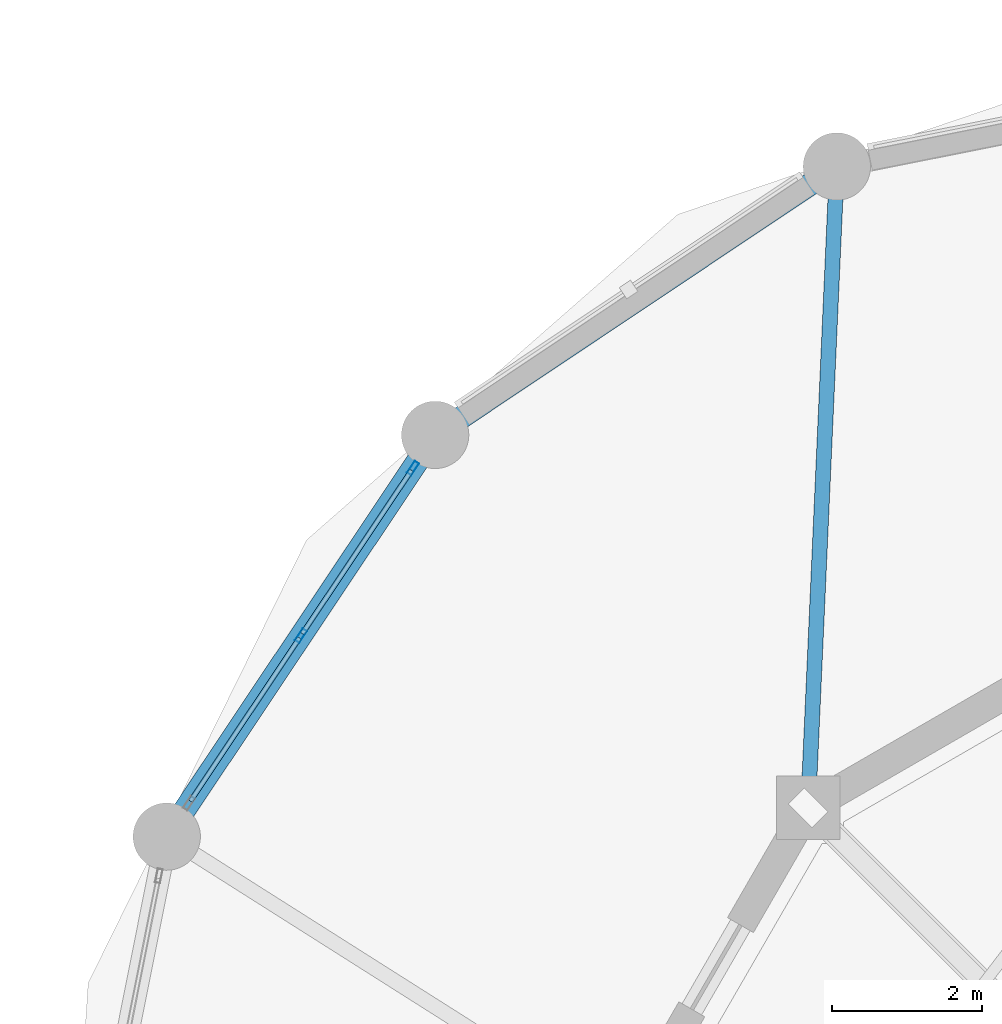
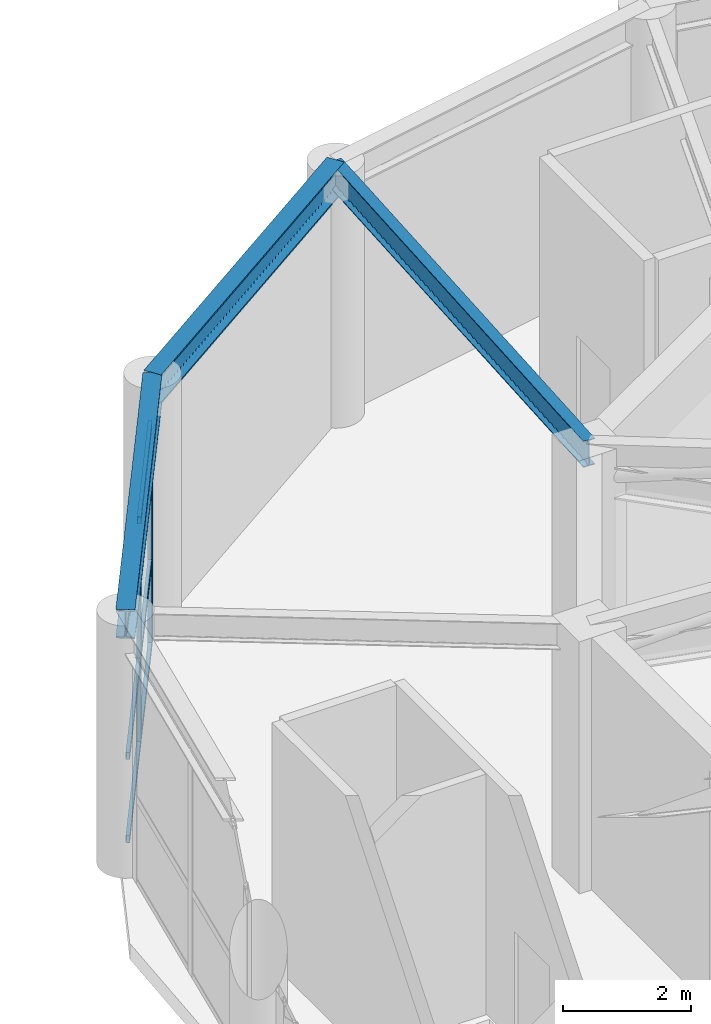
# One storey, part 11 of 26: 8 members, 3 beams, 1 element without a shape of its own.
"""IFC4 building model written with IfcOpenShell, lengths in metres."""

import ifcopenshell
import ifcopenshell.guid

model = None  # the IFC model being written
_history = None  # IfcOwnerHistory: only IFC2X3 demands one
_inside = {}  # id of a spatial element -> (the spatial element, [elements in it])
_under = {}  # id of a project, library or spatial element -> (it, [spatial elements below it])
_declared = {}  # id of a project -> (the project, [libraries it declares])
_typed = {}  # id of a type object -> (the type object, [elements of that type])
_made_of = {}  # id of a material, layer set ... -> (it, [elements and type objects made of it])


def new_model(schema):
    """Start an empty IFC model of exactly this schema.

    Asked for "IFC4X3", IfcOpenShell would pick the latest addendum, in which some entities
    have other attributes; the version numbers below select the first issue.
    IFC2X3 requires an IfcOwnerHistory on every rooted entity: one is made here for all.
    """
    global model, _history
    if schema == "IFC4X3":
        model = ifcopenshell.file(schema_version=(4, 3, 0, 0))
    else:
        model = ifcopenshell.file(schema=schema)
    _inside.clear()
    _under.clear()
    _declared.clear()
    _typed.clear()
    _made_of.clear()
    _history = None
    if model.schema == "IFC2X3":
        org = make("IfcOrganization", Name="unknown")
        user = make(
            "IfcPersonAndOrganization",
            ThePerson=make("IfcPerson", FamilyName="unknown"),
            TheOrganization=org,
        )
        app = make(
            "IfcApplication",
            ApplicationDeveloper=org,
            Version="unknown",
            ApplicationFullName="unknown",
            ApplicationIdentifier="unknown",
        )
        _history = make(
            "IfcOwnerHistory",
            OwningUser=user,
            OwningApplication=app,
            ChangeAction="ADDED",
            CreationDate=0,
        )
    return model


def make(cls, **values):
    """One entity of the class cls with the attributes given. An attribute that is None is left unset."""
    return model.create_entity(
        cls, **{name: value for name, value in values.items() if value is not None}
    )


def rooted(cls, **values):
    """An entity with a GlobalId (a new one), such as an element, a storey or a relation."""
    return make(cls, GlobalId=ifcopenshell.guid.new(), OwnerHistory=_history, **values)


def si_unit(unit_type, name, prefix=None):
    """IfcSIUnit, for example si_unit("LENGTHUNIT", "METRE", prefix="MILLI")."""
    return make("IfcSIUnit", UnitType=unit_type, Prefix=prefix, Name=name)


def derived_unit(unit_type, elements):
    """IfcDerivedUnit: a product of units, each with its exponent."""
    return make(
        "IfcDerivedUnit",
        Elements=[
            make("IfcDerivedUnitElement", Unit=unit, Exponent=power)
            for unit, power in elements
        ],
        UnitType=unit_type,
    )


def assignment(units):
    """IfcUnitAssignment: the units of a project."""
    return None if units is None else make("IfcUnitAssignment", Units=units)


def point(xyz):
    """IfcCartesianPoint."""
    return None if xyz is None else make("IfcCartesianPoint", Coordinates=xyz)


def direction(xyz):
    """IfcDirection."""
    return None if xyz is None else make("IfcDirection", DirectionRatios=xyz)


def frame(location, z_axis=None, x_axis=None):
    """IfcAxis2Placement3D, a coordinate frame: its origin and axes. An axis left out is left unset."""
    return make(
        "IfcAxis2Placement3D",
        Location=point(location),
        Axis=direction(z_axis),
        RefDirection=direction(x_axis),
    )


def frame_2d(location, x_axis=None):
    """IfcAxis2Placement2D, a coordinate frame in the plane: its origin and x axis."""
    return make(
        "IfcAxis2Placement2D", Location=point(location), RefDirection=direction(x_axis)
    )


def origin():
    """The frame at (0, 0, 0) with its axes left unset."""
    return frame((0.0, 0.0, 0.0))


def origin_2d():
    """The frame at (0, 0) in the plane with its x axis left unset."""
    return frame_2d((0.0, 0.0))


def place(relative_to, where):
    """IfcLocalPlacement: puts the frame where relative to a parent placement (None: the world)."""
    return make(
        "IfcLocalPlacement", PlacementRelTo=relative_to, RelativePlacement=where
    )


def context(
    kind, dimensions, precision=None, world=None, true_north=None, identifier=None
):
    """IfcGeometricRepresentationContext, for example the 3D "Model" context."""
    return make(
        "IfcGeometricRepresentationContext",
        ContextIdentifier=identifier,
        ContextType=kind,
        CoordinateSpaceDimension=dimensions,
        Precision=precision,
        WorldCoordinateSystem=world,
        TrueNorth=true_north,
    )


def subcontext(parent, identifier, kind, view, scale=None):
    """IfcGeometricRepresentationSubContext, for example "Body" below "Model"."""
    return make(
        "IfcGeometricRepresentationSubContext",
        ContextIdentifier=identifier,
        ContextType=kind,
        ParentContext=parent,
        TargetScale=scale,
        TargetView=view,
    )


def project(units=None, contexts=None):
    """IfcProject with its units and contexts."""
    return rooted(
        "IfcProject",
        Name="project",
        RepresentationContexts=contexts,
        UnitsInContext=assignment(units),
    )


def spatial(cls, under=None, at=None, **own):
    """A site, building, storey or space (cls), placed at a placement, below another one or the project."""
    s = rooted(cls, ObjectPlacement=at, **own)
    if under is not None:
        _under.setdefault(under.id(), (under, []))[1].append(s)
    return s


def profile(cls, at=None, kind="AREA", **sizes):
    """A parametric profile (cls). Its sizes go by their IFC names, for example OverallWidth=200.0."""
    return make(cls, ProfileType=kind, Position=at, **sizes)


def hollow_rectangle(**sizes):
    """IfcRectangleHollowProfileDef."""
    return profile("IfcRectangleHollowProfileDef", **sizes)


def i_section(**sizes):
    """IfcIShapeProfileDef."""
    return profile("IfcIShapeProfileDef", **sizes)


def extrude(swept, where, along, depth):
    """IfcExtrudedAreaSolid: the profile swept, set in the frame where, extruded along a direction by depth."""
    return make(
        "IfcExtrudedAreaSolid",
        SweptArea=swept,
        Position=where,
        ExtrudedDirection=direction(along),
        Depth=depth,
    )


def shape(context_of_items, identifier, shape_type, items):
    """IfcShapeRepresentation: the items that make up one representation, for example the "Body"."""
    return make(
        "IfcShapeRepresentation",
        ContextOfItems=context_of_items,
        RepresentationIdentifier=identifier,
        RepresentationType=shape_type,
        Items=items,
    )


def source(mapping_origin, context_of_items, identifier, shape_type, items):
    """IfcRepresentationMap: a shape defined once, which mapped items show again and again."""
    return make(
        "IfcRepresentationMap",
        MappingOrigin=mapping_origin,
        MappedRepresentation=shape(context_of_items, identifier, shape_type, items),
    )


def transform(
    local_origin,
    x_axis=None,
    y_axis=None,
    z_axis=None,
    scale=None,
    scale2=None,
    scale3=None,
    uniform=True,
):
    """IfcCartesianTransformationOperator3D, or its non-uniform kind. x_axis, y_axis, z_axis: its Axis1, 2, 3."""
    if uniform:
        return make(
            "IfcCartesianTransformationOperator3D",
            Axis1=direction(x_axis),
            Axis2=direction(y_axis),
            LocalOrigin=point(local_origin),
            Scale=scale,
            Axis3=direction(z_axis),
        )
    return make(
        "IfcCartesianTransformationOperator3DnonUniform",
        Axis1=direction(x_axis),
        Axis2=direction(y_axis),
        LocalOrigin=point(local_origin),
        Scale=scale,
        Axis3=direction(z_axis),
        Scale2=scale2,
        Scale3=scale3,
    )


def mapped(mapping_source, mapping_target):
    """IfcMappedItem: shows the shape of a source again, moved by a transform."""
    return make(
        "IfcMappedItem", MappingSource=mapping_source, MappingTarget=mapping_target
    )


def material(Name=None, Category=None):
    """IfcMaterial."""
    return make("IfcMaterial", Name=Name, Category=Category)


def layer(
    of_material, thickness, ventilated=None, Name=None, Category=None, Priority=None
):
    """IfcMaterialLayer: one layer of a wall or slab, of a material (None: an air gap)."""
    return make(
        "IfcMaterialLayer",
        Material=of_material,
        LayerThickness=thickness,
        IsVentilated=ventilated,
        Name=Name,
        Category=Category,
        Priority=Priority,
    )


def layer_set(layers, Name=None):
    """IfcMaterialLayerSet."""
    return make("IfcMaterialLayerSet", MaterialLayers=layers, LayerSetName=Name)


def material_profile(
    of_material, cross_section, Name=None, Category=None, Priority=None
):
    """IfcMaterialProfile: a cross section and its material."""
    return make(
        "IfcMaterialProfile",
        Name=Name,
        Material=of_material,
        Profile=cross_section,
        Priority=Priority,
        Category=Category,
    )


def profile_set(profiles, Name=None, composite=None):
    """IfcMaterialProfileSet."""
    return make(
        "IfcMaterialProfileSet",
        Name=Name,
        MaterialProfiles=profiles,
        CompositeProfile=composite,
    )


def made_of(thing, what):
    """Note that an element or type object is made of a material, layer set ...; save() writes the relation."""
    if what is not None:
        _made_of.setdefault(what.id(), (what, []))[1].append(thing)
    return thing


def type_object(cls, material=None, **own):
    """A type object (cls), such as IfcWallType, which elements share."""
    return made_of(rooted(cls, **own), material)


def element(
    cls,
    number,
    at=None,
    inside=None,
    cuts=None,
    type_object=None,
    material=None,
    context=None,
    identifier="Body",
    shape_type=None,
    held_by="IfcProductDefinitionShape",
    body=None,
    shapes=None,
    **own,
):
    """One element of the class cls, such as IfcWall. Its Tag is "e" and its number.

    at: its placement. inside: the storey or other place that contains it. cuts: it is an
    opening in that element (IfcRelVoidsElement). A single representation is given by context,
    identifier, shape_type and body (its items); several are given by shapes. held_by: the class
    of the entity that holds the representations. save() writes the other relations.
    """
    e = rooted(cls, Tag="e%d" % number, ObjectPlacement=at, **own)
    if body is not None:
        shapes = [shape(context, identifier, shape_type, body)]
    if shapes is not None:
        e.Representation = make(held_by, Representations=shapes)
    if inside is not None:
        _inside.setdefault(inside.id(), (inside, []))[1].append(e)
    if cuts is not None:
        rooted(
            "IfcRelVoidsElement", RelatingBuildingElement=cuts, RelatedOpeningElement=e
        )
    if type_object is not None:
        _typed.setdefault(type_object.id(), (type_object, []))[1].append(e)
    return made_of(e, material)


def aggregate(whole, parts):
    """IfcRelAggregates: a whole, such as a stair, and the parts it consists of."""
    return rooted("IfcRelAggregates", RelatingObject=whole, RelatedObjects=parts)


def save(model, path):
    """Write the relations noted so far, then the file.

    IfcRelAggregates (storeys below a building ...), IfcRelContainedInSpatialStructure (elements
    in a storey), IfcRelDefinesByType, IfcRelAssociatesMaterial and IfcRelDeclares: one each for
    every whole, place, type object, material and project.
    """
    for whole, parts in _under.values():
        aggregate(whole, parts)
    for where, things in _inside.values():
        rooted(
            "IfcRelContainedInSpatialStructure",
            RelatedElements=things,
            RelatingStructure=where,
        )
    for kind, things in _typed.values():
        rooted("IfcRelDefinesByType", RelatedObjects=things, RelatingType=kind)
    for what, things in _made_of.values():
        rooted("IfcRelAssociatesMaterial", RelatedObjects=things, RelatingMaterial=what)
    for by, libraries in _declared.values():
        rooted("IfcRelDeclares", RelatingContext=by, RelatedDefinitions=libraries)
    model.write(path)


model = new_model("IFC4")

# Units and contexts
model_context = context("Model", 3, precision=1e-05, world=origin(), true_north=direction((0.0, 1.0)))
body_context = subcontext(model_context, "Body", "Model", "MODEL_VIEW")
ifc_project = project(units=[si_unit("LENGTHUNIT", "METRE"), si_unit("AREAUNIT", "SQUARE_METRE"), si_unit("VOLUMEUNIT", "CUBIC_METRE"), si_unit("PLANEANGLEUNIT", "RADIAN"), si_unit("MASSUNIT", "GRAM", prefix="KILO"), derived_unit("THERMALTRANSMITTANCEUNIT", [(si_unit("POWERUNIT", "WATT"), 1), (si_unit("LENGTHUNIT", "METRE"), -2), (si_unit("THERMODYNAMICTEMPERATUREUNIT", "KELVIN"), -1)])], contexts=[model_context])

# Site, building, storey
site_placement = place(None, origin())
site = spatial("IfcSite", under=ifc_project, at=site_placement, CompositionType="ELEMENT")
building_placement = place(site_placement, origin())
building = spatial("IfcBuilding", under=site, at=building_placement, Name="Korsvarv Bourse and Concert Hall", CompositionType="ELEMENT")
storey_placement = place(building_placement, frame((0.0, 0.0, 19.199951171875)))
storey = spatial("IfcBuildingStorey", under=building, at=storey_placement, Name="L04", CompositionType="ELEMENT", Elevation=19.199951171875)

# Beams
ifc_material_1 = material(Name="Steel S355", Category="steel")
ifc_material_profile_1 = material_profile(ifc_material_1, i_section(OverallWidth=0.300048828125, OverallDepth=0.550048828125, WebThickness=0.014892578125, FlangeThickness=0.029052734375, FilletRadius=0.02392578125, at=origin_2d()), Name="HEB 550")
ifc_profile_set_1 = profile_set([ifc_material_profile_1], Name="Steel S355")
beam_type_1 = type_object("IfcBeamType", Name="BM-HEB550", PredefinedType="BEAM", material=ifc_profile_set_1)
shared_shape_1 = source(origin(), body_context, "Body", "SweptSolid", [
    extrude(i_section(OverallWidth=0.300048828125, OverallDepth=0.550048828125, WebThickness=0.014892578125, FlangeThickness=0.029052734375, FilletRadius=0.02392578125, at=origin_2d()), origin(), (0.0, 0.0, 1.0), 6.45751953125),
])
for number, where, z_axis, x_axis, name in (
    (1, (100.466552734375, 51.290283203125, 4.525146484375), (-0.83146235745, -0.55558109052, 0.0), (0.55558109052, -0.83146235745, 0.0), "L04 beam B-06"),
    (2, (95.097412109375, 47.70263671875, 4.525146484375), (-0.55558109052, -0.83146235745, 0.0), (0.83146235745, -0.55558109052, 0.0), "L04 beam B-06"),
):
    element("IfcBeam", number, at=place(storey_placement, frame(where, z_axis=z_axis, x_axis=x_axis)), inside=storey, type_object=beam_type_1, Name=name, PredefinedType="BEAM", context=body_context, shape_type="MappedRepresentation", body=[
        mapped(shared_shape_1, transform((0.0, 0.0, 0.0), scale=1.0)),
    ])
ifc_material_profile_2 = material_profile(ifc_material_1, i_section(OverallWidth=0.199951171875, OverallDepth=0.5, WebThickness=0.01025390625, FlangeThickness=0.01611328125, FilletRadius=0.02099609375, at=origin_2d()), Name="IPE 500")
ifc_profile_set_2 = profile_set([ifc_material_profile_2], Name="Steel S355")
beam_type_2 = type_object("IfcBeamType", Name="BM-IPE500", PredefinedType="JOIST", material=ifc_profile_set_2)
shared_shape_2 = source(origin(), body_context, "Body", "SweptSolid", [
    extrude(i_section(OverallWidth=0.199951171875, OverallDepth=0.5, WebThickness=0.01025390625, FlangeThickness=0.01611328125, FilletRadius=0.02099609375, at=origin_2d()), origin(), (0.0, 0.0, 1.0), 8.581298828125),
])
beam_placement = place(storey_placement, frame((100.08251953125, 42.717529296875, 4.550048828125), z_axis=(0.044752066119, 0.998998124412, 0.0), x_axis=(-0.998998124412, 0.044752066119, 0.0)))
element("IfcBeam", 3, at=beam_placement, inside=storey, type_object=beam_type_2, Name="L04 beam J-03", PredefinedType="JOIST", context=body_context, shape_type="MappedRepresentation", body=[
    mapped(shared_shape_2, transform((0.0, 0.0, 0.0), scale=1.0)),
])

# Curtain wall, members
ifc_material_2 = material(Name="Anodised aluminium and triple low-E glazing", Category="glass")
ifc_layer = layer(ifc_material_2, 0.22998046875)
ifc_layer_set = layer_set([ifc_layer], Name="Anodised aluminium and triple low-E glazing")
curtain_wall_type = type_object("IfcCurtainWallType", Name="CW-SYS-6", PredefinedType="NOTDEFINED", material=ifc_layer_set)
curtain_wall_placement = place(storey_placement, origin())
curtain_wall = element("IfcCurtainWall", 4, at=curtain_wall_placement, inside=storey, type_object=curtain_wall_type, Name="L04 CW6 curtain wall CW-L04-CH07", PredefinedType="NOTDEFINED")
ifc_material_3 = material(Name="Extruded aluminium EN AW-6063 T66", Category="aluminium")
ifc_material_profile_3 = material_profile(ifc_material_3, hollow_rectangle(XDim=0.06494140625, YDim=0.139892578125, WallThickness=0.00390625, at=origin_2d()), Name="ALU-T 65x140")
ifc_profile_set_3 = profile_set([ifc_material_profile_3], Name="Extruded aluminium EN AW-6063 T66")
member_type_1 = type_object("IfcMemberType", Name="CWT-140", PredefinedType="USERDEFINED", material=ifc_profile_set_3)
shared_shape_3 = source(origin(), body_context, "Body", "SweptSolid", [
    extrude(hollow_rectangle(XDim=0.06494140625, YDim=0.139892578125, WallThickness=0.00390625, at=origin_2d()), origin(), (0.0, 0.0, 1.0), 2.62353515625),
])
member_1_placement = place(storey_placement, frame((94.780517578125, 47.228515625, 0.032470703125), z_axis=(-0.555558901624, -0.831477183587, 0.0), x_axis=(0.831477183587, -0.555558901624, 0.0)))
member_1 = element("IfcMember", 5, at=member_1_placement, type_object=member_type_1, Name="CW6 transom 1.1", ObjectType="TRANSOM", PredefinedType="USERDEFINED", context=body_context, shape_type="MappedRepresentation", body=[
    mapped(shared_shape_3, transform((0.0, 0.0, 0.0), scale=1.0)),
])
member_2_placement = place(storey_placement, frame((94.780517578125, 47.228515625, 1.614990234375), z_axis=(-0.555558901624, -0.831477183587, 0.0), x_axis=(0.831477183587, -0.555558901624, 0.0)))
member_2 = element("IfcMember", 6, at=member_2_placement, type_object=member_type_1, Name="CW6 transom 1.2", ObjectType="TRANSOM", PredefinedType="USERDEFINED", context=body_context, shape_type="MappedRepresentation", body=[
    mapped(shared_shape_3, transform((0.0, 0.0, 0.0), scale=1.0)),
])
member_3_placement = place(storey_placement, frame((94.780517578125, 47.228515625, 4.217529296875), z_axis=(-0.555558901624, -0.831477183587, 0.0), x_axis=(0.831477183587, -0.555558901624, 0.0)))
member_3 = element("IfcMember", 7, at=member_3_placement, type_object=member_type_1, Name="CW6 transom 1.3", ObjectType="TRANSOM", PredefinedType="USERDEFINED", context=body_context, shape_type="MappedRepresentation", body=[
    mapped(shared_shape_3, transform((0.0, 0.0, 0.0), scale=1.0)),
])
member_4_placement = place(storey_placement, frame((93.2841796875, 44.989013671875, 0.032470703125), z_axis=(-0.555558901624, -0.831477183587, 0.0), x_axis=(0.831477183587, -0.555558901624, 0.0)))
member_4 = element("IfcMember", 8, at=member_4_placement, type_object=member_type_1, Name="CW6 transom 2.1", ObjectType="TRANSOM", PredefinedType="USERDEFINED", context=body_context, shape_type="MappedRepresentation", body=[
    mapped(shared_shape_3, transform((0.0, 0.0, 0.0), scale=1.0)),
])
member_5_placement = place(storey_placement, frame((93.2841796875, 44.989013671875, 1.614990234375), z_axis=(-0.555558901624, -0.831477183587, 0.0), x_axis=(0.831477183587, -0.555558901624, 0.0)))
member_5 = element("IfcMember", 9, at=member_5_placement, type_object=member_type_1, Name="CW6 transom 2.2", ObjectType="TRANSOM", PredefinedType="USERDEFINED", context=body_context, shape_type="MappedRepresentation", body=[
    mapped(shared_shape_3, transform((0.0, 0.0, 0.0), scale=1.0)),
])
member_6_placement = place(storey_placement, frame((93.2841796875, 44.989013671875, 4.217529296875), z_axis=(-0.555558901624, -0.831477183587, 0.0), x_axis=(0.831477183587, -0.555558901624, 0.0)))
member_6 = element("IfcMember", 10, at=member_6_placement, type_object=member_type_1, Name="CW6 transom 2.3", ObjectType="TRANSOM", PredefinedType="USERDEFINED", context=body_context, shape_type="MappedRepresentation", body=[
    mapped(shared_shape_3, transform((0.0, 0.0, 0.0), scale=1.0)),
])
ifc_material_profile_4 = material_profile(ifc_material_3, hollow_rectangle(XDim=0.070068359375, YDim=0.18994140625, WallThickness=0.0048828125, at=origin_2d()), Name="ALU-M 70x190")
ifc_profile_set_4 = profile_set([ifc_material_profile_4], Name="Extruded aluminium EN AW-6063 T66")
member_type_2 = type_object("IfcMemberType", Name="CWM-190", PredefinedType="MULLION", material=ifc_profile_set_4)
shared_shape_4 = source(origin(), body_context, "Body", "SweptSolid", [
    extrude(hollow_rectangle(XDim=0.070068359375, YDim=0.18994140625, WallThickness=0.0048828125, at=origin_2d()), origin(), (0.0, 0.0, 1.0), 4.25),
])
member_7_placement = place(storey_placement, frame((94.800048828125, 47.257568359375, 0.0), z_axis=(0.0, 0.0, 1.0), x_axis=(0.831469083386, -0.555571024599, 0.0)))
member_7 = element("IfcMember", 11, at=member_7_placement, type_object=member_type_2, Name="CW6 mullion 1", PredefinedType="MULLION", context=body_context, shape_type="MappedRepresentation", body=[
    mapped(shared_shape_4, transform((0.0, 0.0, 0.0), scale=1.0)),
])
member_8_placement = place(storey_placement, frame((93.3037109375, 45.01806640625, 0.0), z_axis=(0.0, 0.0, 1.0), x_axis=(0.831469083386, -0.555571024599, 0.0)))
member_8 = element("IfcMember", 12, at=member_8_placement, type_object=member_type_2, Name="CW6 mullion 2", PredefinedType="MULLION", context=body_context, shape_type="MappedRepresentation", body=[
    mapped(shared_shape_4, transform((0.0, 0.0, 0.0), scale=1.0)),
])
aggregate(curtain_wall, [member_7, member_8, member_1, member_2, member_3, member_4, member_5, member_6])

save(model, "model.ifc")
